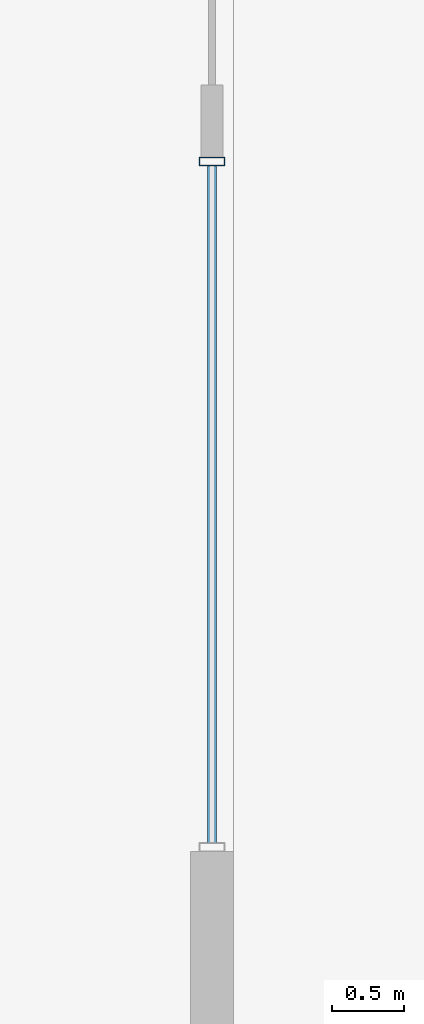
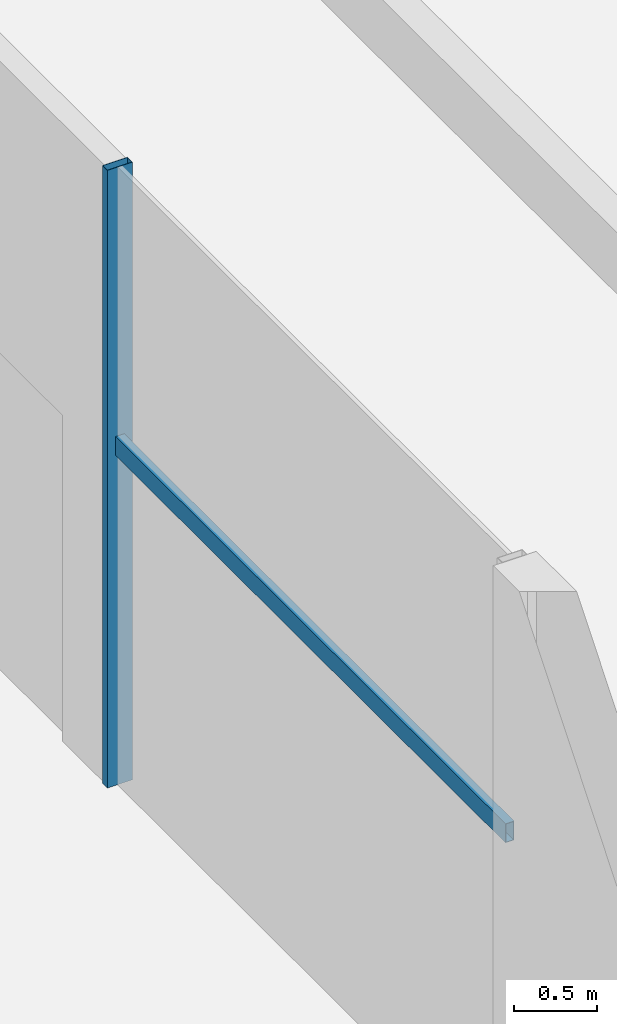
# One storey, part 16 of 49: 2 members, 1 element without a shape of its own.
"""IFC4 building model written with IfcOpenShell, lengths in metres."""

from ifc_helpers import new_model, si_unit, direction, frame, origin, origin_2d, place, context, subcontext, project, spatial, hollow_rectangle, extrude, material, material_profile, profile_set, type_object, element, aggregate, save


model = new_model("IFC4")

# Units and contexts
model_context = context("Model", 3, precision=1e-05, world=origin(), true_north=direction((0.0, 1.0)))
body_context = subcontext(model_context, "Body", "Model", "MODEL_VIEW")
ifc_project = project(units=[si_unit("LENGTHUNIT", "METRE"), si_unit("AREAUNIT", "SQUARE_METRE"), si_unit("VOLUMEUNIT", "CUBIC_METRE"), si_unit("PLANEANGLEUNIT", "RADIAN"), si_unit("MASSUNIT", "GRAM", prefix="KILO")], contexts=[model_context])

# Site, building, storey
site_placement = place(None, origin())
site = spatial("IfcSite", under=ifc_project, at=site_placement, CompositionType="ELEMENT")
building_placement = place(site_placement, origin())
building = spatial("IfcBuilding", under=site, at=building_placement, Name="Altepetl Exchange Towers", CompositionType="ELEMENT")
storey_placement = place(building_placement, frame((0.0, 0.0, 11.5)))
storey = spatial("IfcBuildingStorey", under=building, at=storey_placement, Name="L02 Exchange podium", CompositionType="ELEMENT", Elevation=11.5)

# Curtain wall, members
ifc_material_1 = material(Name="Aluminium 6063-T6 glazing", Category="aluminium")
curtain_wall_type = type_object("IfcCurtainWallType", Name="Podium storefront system", PredefinedType="NOTDEFINED", material=ifc_material_1)
curtain_wall_placement = place(storey_placement, origin())
curtain_wall = element("IfcCurtainWall", 1, at=curtain_wall_placement, inside=storey, type_object=curtain_wall_type, Name="CW5 run", PredefinedType="NOTDEFINED")
ifc_material_2 = material(Name="Aluminium 6063-T6", Category="aluminium")
ifc_material_profile_1 = material_profile(ifc_material_2, hollow_rectangle(XDim=0.06005859375, YDim=0.175048828125, WallThickness=0.0029296875, at=origin_2d()), Name="Mullion 60x175 aluminium")
ifc_profile_set_1 = profile_set([ifc_material_profile_1], Name="Aluminium 6063-T6")
member_type_1 = type_object("IfcMemberType", Name="Mullion 60x175 aluminium", PredefinedType="MULLION", material=ifc_profile_set_1)
member_1_placement = place(storey_placement, frame((134.85009765625, 73.02001953125, 0.0), z_axis=(0.0, 0.0, 1.0), x_axis=(0.0, 1.0, 0.0)))
member_1 = element("IfcMember", 2, at=member_1_placement, type_object=member_type_1, Name="MU4 mullion", PredefinedType="MULLION", context=body_context, shape_type="SweptSolid", body=[
    extrude(hollow_rectangle(XDim=0.06005859375, YDim=0.175048828125, WallThickness=0.0029296875, at=origin_2d()), origin(), (0.0, 0.0, 1.0), 4.550048828125),
])
ifc_material_profile_2 = material_profile(ifc_material_2, hollow_rectangle(XDim=0.06005859375, YDim=0.139892578125, WallThickness=0.0029296875, at=origin_2d()), Name="Transom 60x140 aluminium")
ifc_profile_set_2 = profile_set([ifc_material_profile_2], Name="Aluminium 6063-T6")
member_type_2 = type_object("IfcMemberType", Name="Transom 60x140 aluminium", PredefinedType="USERDEFINED", material=ifc_profile_set_2)
member_2_placement = place(storey_placement, frame((134.85009765625, 68.284912109375, 2.5), z_axis=(0.0, 1.0, 0.0), x_axis=(-1.0, 0.0, 0.0)))
member_2 = element("IfcMember", 3, at=member_2_placement, type_object=member_type_2, Name="TR3 transom", ObjectType="TRANSOM", PredefinedType="USERDEFINED", context=body_context, shape_type="SweptSolid", body=[
    extrude(hollow_rectangle(XDim=0.06005859375, YDim=0.139892578125, WallThickness=0.0029296875, at=origin_2d()), origin(), (0.0, 0.0, 1.0), 4.705078125),
])
aggregate(curtain_wall, [member_1, member_2])

save(model, "model.ifc")
